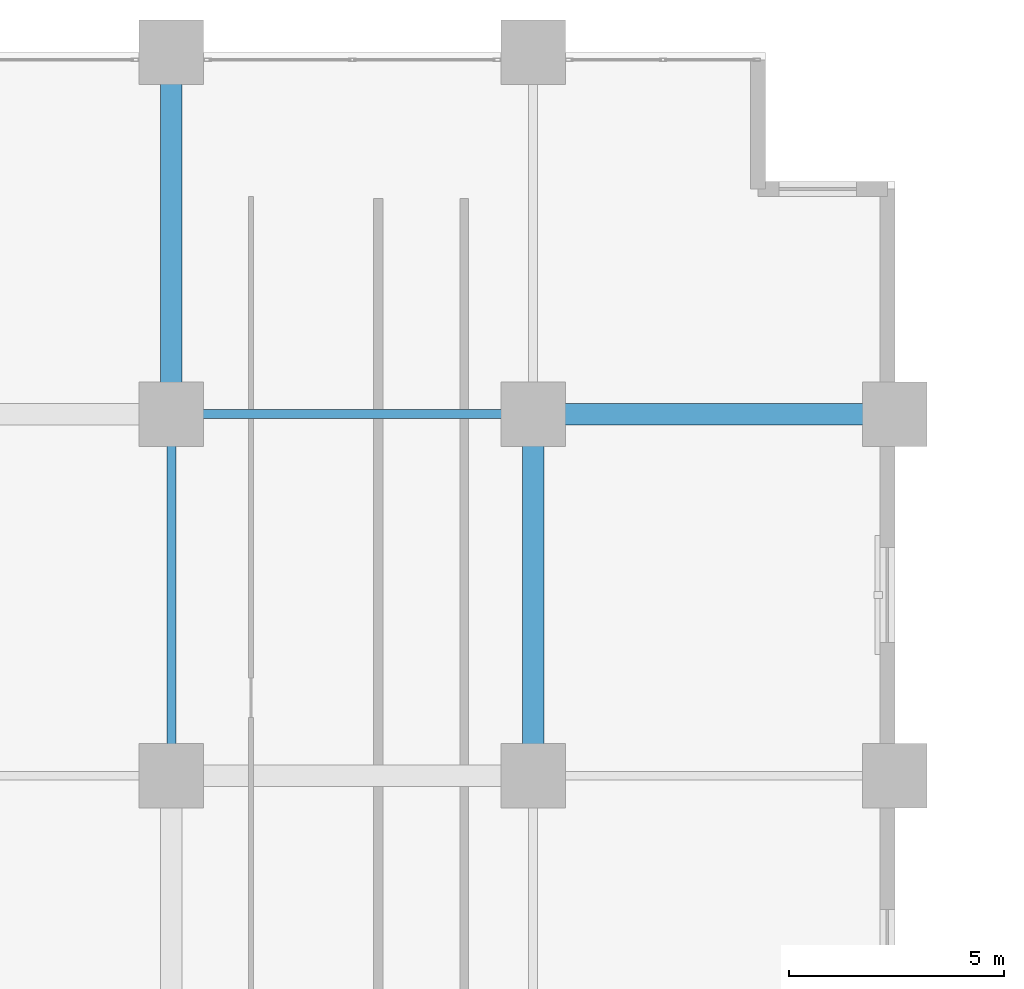
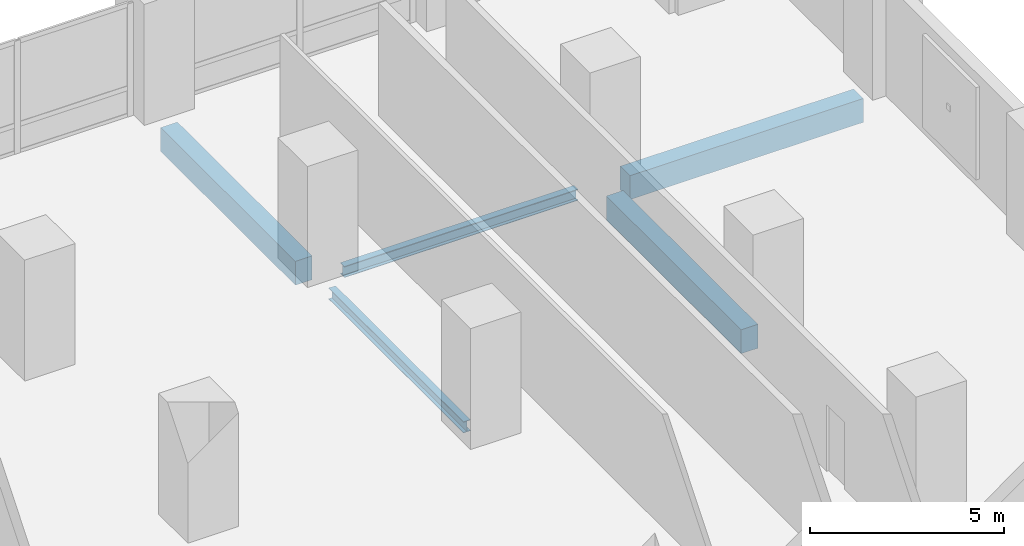
# One storey, part 4 of 24: 5 beams.
"""IFC4 building model written with IfcOpenShell, lengths in metres."""

from ifc_helpers import new_model, si_unit, direction, frame, origin, origin_2d, place, context, subcontext, project, spatial, rectangle, i_section, extrude, material, material_profile, profile_set, type_object, element, save


model = new_model("IFC4")

# Units and contexts
model_context = context("Model", 3, precision=1e-05, world=origin(), true_north=direction((0.0, 1.0)))
body_context = subcontext(model_context, "Body", "Model", "MODEL_VIEW")
ifc_project = project(units=[si_unit("LENGTHUNIT", "METRE"), si_unit("AREAUNIT", "SQUARE_METRE"), si_unit("VOLUMEUNIT", "CUBIC_METRE"), si_unit("PLANEANGLEUNIT", "RADIAN"), si_unit("MASSUNIT", "GRAM", prefix="KILO")], contexts=[model_context])

# Site, building, storey
site_placement = place(None, origin())
site = spatial("IfcSite", under=ifc_project, at=site_placement, CompositionType="ELEMENT")
building_placement = place(site_placement, origin())
building = spatial("IfcBuilding", under=site, at=building_placement, Name="Koriwani Terraces Tower", CompositionType="ELEMENT")
storey_placement = place(building_placement, frame((0.0, 0.0, 47.199951171875)))
storey = spatial("IfcBuildingStorey", under=building, at=storey_placement, Name="L10", CompositionType="ELEMENT", Elevation=47.199951171875)

# Beams
ifc_material_1 = material(Name="Concrete C50/60", Category="concrete")
ifc_material_profile_1 = material_profile(ifc_material_1, rectangle(XDim=0.5, YDim=0.75, at=origin_2d()), Name="Concrete C50/60", Category="LoadBearing")
ifc_profile_set_1 = profile_set([ifc_material_profile_1], Name="Concrete C50/60")
beam_type_1 = type_object("IfcBeamType", Name="BEAM_RC_GRID_500X750", PredefinedType="BEAM", material=ifc_profile_set_1)
beam_placement = place(storey_placement, frame((25.929931640625, 84.0, -0.625), z_axis=(1.0, 0.0, 0.0), x_axis=(0.0, 1.0, 0.0)))
element("IfcBeam", 1, at=beam_placement, inside=storey, type_object=beam_type_1, Name="L10 Grid Beam K (25.2-33.6m)", PredefinedType="BEAM", context=body_context, shape_type="SweptSolid", body=[
    extrude(rectangle(XDim=0.5, YDim=0.75, at=origin_2d()), origin(), (0.0, 0.0, 1.0), 6.940185546875),
])
for number, where, z_axis, x_axis, name in (
    (2, (16.800048828125, 84.72998046875, -0.625), (0.0, 1.0, 0.0), (-1.0, 0.0, 0.0), "L10 Grid Beam 3 (84.0-92.4m)"),
    (3, (25.199951171875, 76.330078125, -0.625), (0.0, 1.0, 0.0), (-1.0, 0.0, 0.0), "L10 Grid Beam 4 (75.6-84.0m)"),
):
    element("IfcBeam", number, at=place(storey_placement, frame(where, z_axis=z_axis, x_axis=x_axis)), inside=storey, type_object=beam_type_1, Name=name, PredefinedType="BEAM", context=body_context, shape_type="SweptSolid", body=[
        extrude(rectangle(XDim=0.5, YDim=0.75, at=origin_2d()), origin(), (0.0, 0.0, 1.0), 6.93994140625),
    ])
ifc_material_2 = material(Name="Steel ASTM A572 Grade 50", Category="steel")
ifc_material_profile_2 = material_profile(ifc_material_2, i_section(OverallWidth=0.205078125, OverallDepth=0.35400390625, WebThickness=0.009521484375, FlangeThickness=0.016845703125, at=origin_2d()), Name="Steel ASTM A572 Grade 50", Category="LoadBearing")
ifc_profile_set_2 = profile_set([ifc_material_profile_2], Name="Steel ASTM A572 Grade 50")
beam_type_2 = type_object("IfcBeamType", Name="STEEL_BEAM_W360X79", PredefinedType="JOIST", material=ifc_profile_set_2)
for number, where, z_axis, x_axis, name in (
    (4, (17.530029296875, 84.0, -0.427001953125), (1.0, 0.0, 0.0), (0.0, 1.0, 0.0), "L10 Grid Beam K (16.8-25.2m)"),
    (5, (16.800048828125, 76.330078125, -0.427001953125), (0.0, 1.0, 0.0), (-1.0, 0.0, 0.0), "L10 Grid Beam 3 (75.6-84.0m)"),
):
    element("IfcBeam", number, at=place(storey_placement, frame(where, z_axis=z_axis, x_axis=x_axis)), inside=storey, type_object=beam_type_2, Name=name, PredefinedType="JOIST", context=body_context, shape_type="SweptSolid", body=[
        extrude(i_section(OverallWidth=0.205078125, OverallDepth=0.35400390625, WebThickness=0.009521484375, FlangeThickness=0.016845703125, at=origin_2d()), origin(), (0.0, 0.0, 1.0), 6.93994140625),
    ])

save(model, "model.ifc")
